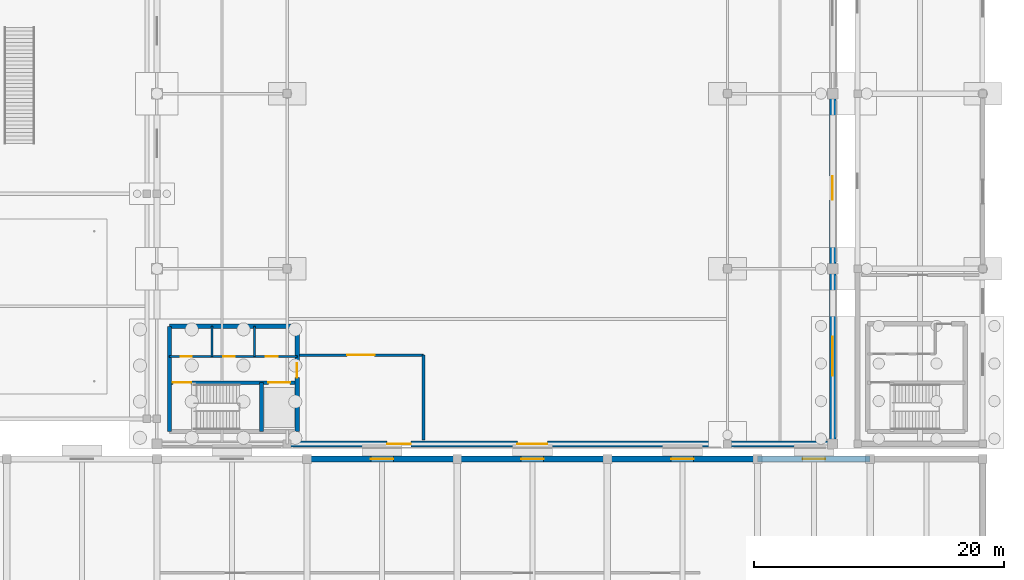
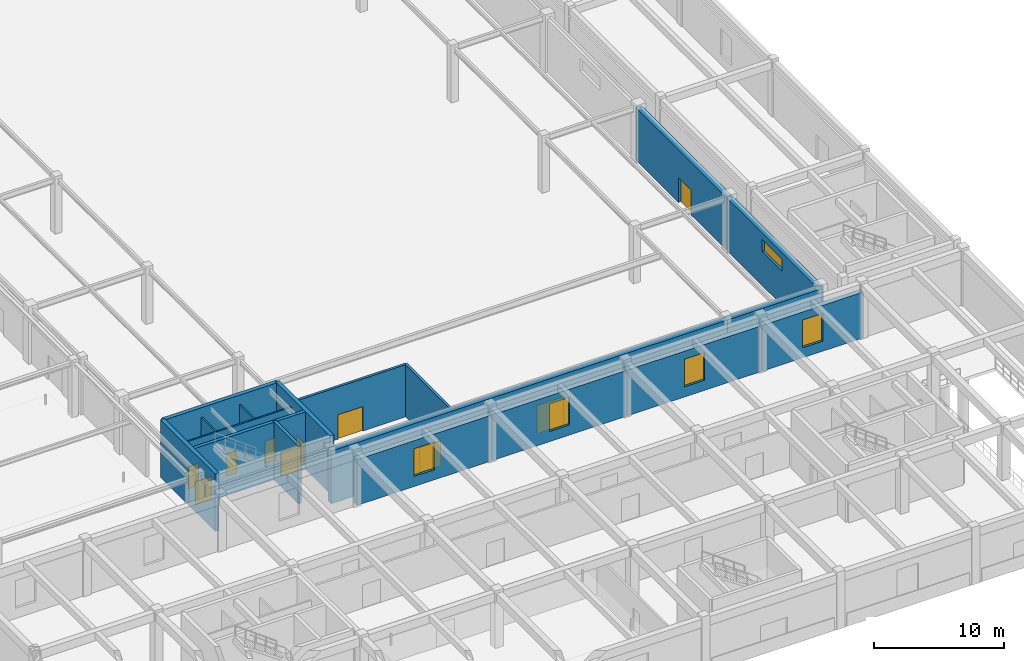
# One storey, part 32 of 53: 18 walls, 10 doors, 5 windows, 15 openings.
"""IFC4 building model written with IfcOpenShell, lengths in metres."""

from ifc_helpers import new_model, si_unit, derived_unit, direction, frame, frame_2d, origin, place, context, subcontext, project, spatial, rectangle, extrude, material, layer, layer_set, type_object, element, fill, save


model = new_model("IFC4")

# Units and contexts
model_context = context("Model", 3, precision=1e-05, world=origin(), true_north=direction((0.0, 1.0)))
body_context = subcontext(model_context, "Body", "Model", "MODEL_VIEW")
ifc_project = project(units=[si_unit("LENGTHUNIT", "METRE"), si_unit("AREAUNIT", "SQUARE_METRE"), si_unit("VOLUMEUNIT", "CUBIC_METRE"), si_unit("PLANEANGLEUNIT", "RADIAN"), si_unit("MASSUNIT", "GRAM", prefix="KILO"), derived_unit("THERMALTRANSMITTANCEUNIT", [(si_unit("POWERUNIT", "WATT"), 1), (si_unit("LENGTHUNIT", "METRE"), -2), (si_unit("THERMODYNAMICTEMPERATUREUNIT", "KELVIN"), -1)])], contexts=[model_context])

# Site, building, storey
site_placement = place(None, origin())
site = spatial("IfcSite", under=ifc_project, at=site_placement, CompositionType="ELEMENT")
building_placement = place(site_placement, origin())
building = spatial("IfcBuilding", under=site, at=building_placement, Name="Almenara Railside Exhibition Hall", CompositionType="ELEMENT")
storey_placement = place(building_placement, origin())
storey = spatial("IfcBuildingStorey", under=building, at=storey_placement, Name="L00", CompositionType="ELEMENT", Elevation=0.0)

# Walls
ifc_material_1 = material(Name="Concrete C35/45", Category="concrete")
ifc_layer_1 = layer(ifc_material_1, 0.35009765625, Name="Concrete C35/45")
ifc_layer_set_1 = layer_set([ifc_layer_1], Name="Concrete C35/45")
wall_type_1 = type_object("IfcWallType", Name="Core Coupled Shear Wall 350mm C35/45", PredefinedType="SHEAR", material=ifc_layer_set_1)
wall_1_placement = place(storey_placement, frame((149.199951171875, 43.39990234375, 0.0), z_axis=(0.0, 0.0, 1.0), x_axis=(-1.0, 0.0, 0.0)))
element("IfcWall", 1, at=wall_1_placement, inside=storey, type_object=wall_type_1, Name="Interior wall 0056", PredefinedType="SHEAR", context=body_context, shape_type="SweptSolid", body=[
    extrude(rectangle(XDim=10.199951171875, YDim=0.35009765625, at=frame_2d((5.10009765625, 0.0))), origin(), (0.0, 0.0, 1.0), 5.39990234375),
])
wall_2_placement = place(storey_placement, frame((139.0, 43.39990234375, 0.0), z_axis=(0.0, 0.0, 1.0), x_axis=(0.0, -1.0, 0.0)))
element("IfcWall", 2, at=wall_2_placement, inside=storey, type_object=wall_type_1, Name="Interior wall 0057", PredefinedType="SHEAR", context=body_context, shape_type="SweptSolid", body=[
    extrude(rectangle(XDim=8.39990234375, YDim=0.35009765625, at=frame_2d((4.199951171875, 0.0))), origin(), (0.0, 0.0, 1.0), 5.39990234375),
])

# Wall, opening, door
wall_3_placement = place(storey_placement, frame((149.199951171875, 35.0, 0.0), z_axis=(0.0, 0.0, 1.0), x_axis=(0.0, 1.0, 0.0)))
wall_3 = element("IfcWall", 3, at=wall_3_placement, inside=storey, type_object=wall_type_1, Name="Interior wall 0058", PredefinedType="SHEAR", context=body_context, shape_type="SweptSolid", body=[
    extrude(rectangle(XDim=8.39990234375, YDim=0.35009765625, at=frame_2d((4.199951171875, 0.0))), origin(), (0.0, 0.0, 1.0), 5.39990234375),
])
opening_1_placement = place(wall_3_placement, frame((4.300048828125, 0.0, 0.0)))
opening_1 = element("IfcOpeningElement", 4, at=opening_1_placement, cuts=wall_3, Name="Opening FD-115", PredefinedType="OPENING", context=body_context, shape_type="SweptSolid", body=[
    extrude(rectangle(XDim=1.14990234375, YDim=2.14990234375, at=frame_2d((0.574951171875, 1.074951171875))), frame((0.0, 0.18505859375, 0.0), z_axis=(0.0, -1.0, 0.0), x_axis=(1.0, 0.0, 0.0)), (0.0, 0.0, 1.0), 0.3701171875),
])
ifc_material_2 = material(Name="Fire-rated iroko timber door", Category="wood")
door_type_1 = type_object("IfcDoorType", Name="Core Lobby Fire Door 1150x2150 EI60", OperationType="NOTDEFINED", PredefinedType="DOOR", material=ifc_material_2)
door_1_placement = place(opening_1_placement, frame((1.14990234375, 0.0, 0.0), z_axis=(0.0, 0.0, 1.0), x_axis=(-1.0, 0.0, 0.0)))
door_1 = element("IfcDoor", 5, at=door_1_placement, inside=storey, type_object=door_type_1, Name="Interior door FD-115-037", OperationType="SINGLE_SWING_LEFT", OverallHeight=2.14990234375, OverallWidth=1.14990234375, PredefinedType="DOOR", context=body_context, shape_type="SweptSolid", body=[
    extrude(rectangle(XDim=1.14990234375, YDim=2.14990234375, at=frame_2d((0.574951171875, 1.074951171875))), frame((0.0, 0.02490234375, 0.0), z_axis=(0.0, -1.0, 0.0), x_axis=(1.0, 0.0, 0.0)), (0.0, 0.0, 1.0), 0.050048828125),
])
fill(opening_1, door_1)

# Wall, opening, window
ifc_material_3 = material(Name="Ochre-white lime-rendered masonry over Concrete C35/45", Category="masonry")
ifc_layer_2 = layer(ifc_material_3, 0.449951171875, Name="Ochre-white lime-rendered masonry over Concrete C35/45")
ifc_layer_set_2 = layer_set([ifc_layer_2], Name="Ochre-white lime-rendered masonry over Concrete C35/45")
wall_type_2 = type_object("IfcWallType", Name="Exterior Civic Stucco Wall 450mm C35/45", PredefinedType="SOLIDWALL", material=ifc_layer_set_2)
wall_4_placement = place(storey_placement, frame((162.0, 32.800048828125, 0.0), z_axis=(0.0, 0.0, 1.0), x_axis=(-1.0, 0.0, 0.0)))
wall_4 = element("IfcWall", 6, at=wall_4_placement, inside=storey, type_object=wall_type_2, Name="Exterior wall 0179", PredefinedType="SOLIDWALL", context=body_context, shape_type="SweptSolid", body=[
    extrude(rectangle(XDim=12.0, YDim=0.449951171875, at=frame_2d((6.0, 0.0))), origin(), (0.0, 0.0, 1.0), 4.300048828125),
])
opening_2_placement = place(wall_4_placement, frame((5.10009765625, 0.0, 0.949951171875)))
opening_2 = element("IfcOpeningElement", 7, at=opening_2_placement, cuts=wall_4, Name="Opening W-05", PredefinedType="OPENING", context=body_context, shape_type="SweptSolid", body=[
    extrude(rectangle(XDim=1.800048828125, YDim=2.60009765625, at=frame_2d((0.89990234375, 1.300048828125))), frame((0.0, 0.23486328125, 0.0), z_axis=(0.0, -1.0, 0.0), x_axis=(1.0, 0.0, 0.0)), (0.0, 0.0, 1.0), 0.469970703125),
])
ifc_material_4 = material(Name="Bronze-anodised aluminium and low-E double glazing", Category="aluminium")
window_type_1 = type_object("IfcWindowType", Name="Courtyard Deep-Reveal Window 1800x2600", PartitioningType="DOUBLE_PANEL_VERTICAL", PredefinedType="WINDOW", material=ifc_material_4)
window_1_placement = place(opening_2_placement, origin())
window_1 = element("IfcWindow", 8, at=window_1_placement, inside=storey, type_object=window_type_1, Name="Window 0047", OverallHeight=2.60009765625, OverallWidth=1.800048828125, PartitioningType="DOUBLE_PANEL_VERTICAL", PredefinedType="WINDOW", context=body_context, shape_type="SweptSolid", body=[
    extrude(rectangle(XDim=1.800048828125, YDim=2.60009765625, at=frame_2d((0.89990234375, 1.300048828125))), frame((0.0, 0.030029296875, 0.0), z_axis=(0.0, -1.0, 0.0), x_axis=(1.0, 0.0, 0.0)), (0.0, 0.0, 1.0), 0.06005859375),
])
fill(opening_2, window_1)

wall_5_placement = place(storey_placement, frame((174.0, 32.800048828125, 0.0), z_axis=(0.0, 0.0, 1.0), x_axis=(-1.0, 0.0, 0.0)))
wall_5 = element("IfcWall", 9, at=wall_5_placement, inside=storey, type_object=wall_type_2, Name="Exterior wall 0181", PredefinedType="SOLIDWALL", context=body_context, shape_type="SweptSolid", body=[
    extrude(rectangle(XDim=12.0, YDim=0.449951171875, at=frame_2d((6.0, 0.0))), origin(), (0.0, 0.0, 1.0), 4.300048828125),
])
opening_3_placement = place(wall_5_placement, frame((5.10009765625, 0.0, 0.949951171875)))
opening_3 = element("IfcOpeningElement", 10, at=opening_3_placement, cuts=wall_5, Name="Opening W-05", PredefinedType="OPENING", context=body_context, shape_type="SweptSolid", body=[
    extrude(rectangle(XDim=1.800048828125, YDim=2.60009765625, at=frame_2d((0.89990234375, 1.300048828125))), frame((0.0, 0.23486328125, 0.0), z_axis=(0.0, -1.0, 0.0), x_axis=(1.0, 0.0, 0.0)), (0.0, 0.0, 1.0), 0.469970703125),
])
window_2_placement = place(opening_3_placement, origin())
window_2 = element("IfcWindow", 11, at=window_2_placement, inside=storey, type_object=window_type_1, Name="Window 0048", OverallHeight=2.60009765625, OverallWidth=1.800048828125, PartitioningType="DOUBLE_PANEL_VERTICAL", PredefinedType="WINDOW", context=body_context, shape_type="SweptSolid", body=[
    extrude(rectangle(XDim=1.800048828125, YDim=2.60009765625, at=frame_2d((0.89990234375, 1.300048828125))), frame((0.0, 0.030029296875, 0.0), z_axis=(0.0, -1.0, 0.0), x_axis=(1.0, 0.0, 0.0)), (0.0, 0.0, 1.0), 0.06005859375),
])
fill(opening_3, window_2)

wall_6_placement = place(storey_placement, frame((186.0, 32.800048828125, 0.0), z_axis=(0.0, 0.0, 1.0), x_axis=(-1.0, 0.0, 0.0)))
wall_6 = element("IfcWall", 12, at=wall_6_placement, inside=storey, type_object=wall_type_2, Name="Exterior wall 0183", PredefinedType="SOLIDWALL", context=body_context, shape_type="SweptSolid", body=[
    extrude(rectangle(XDim=12.0, YDim=0.449951171875, at=frame_2d((6.0, 0.0))), origin(), (0.0, 0.0, 1.0), 4.300048828125),
])
opening_4_placement = place(wall_6_placement, frame((5.10009765625, 0.0, 0.949951171875)))
opening_4 = element("IfcOpeningElement", 13, at=opening_4_placement, cuts=wall_6, Name="Opening W-05", PredefinedType="OPENING", context=body_context, shape_type="SweptSolid", body=[
    extrude(rectangle(XDim=1.800048828125, YDim=2.60009765625, at=frame_2d((0.89990234375, 1.300048828125))), frame((0.0, 0.23486328125, 0.0), z_axis=(0.0, -1.0, 0.0), x_axis=(1.0, 0.0, 0.0)), (0.0, 0.0, 1.0), 0.469970703125),
])
window_3_placement = place(opening_4_placement, origin())
window_3 = element("IfcWindow", 14, at=window_3_placement, inside=storey, type_object=window_type_1, Name="Window 0050", OverallHeight=2.60009765625, OverallWidth=1.800048828125, PartitioningType="DOUBLE_PANEL_VERTICAL", PredefinedType="WINDOW", context=body_context, shape_type="SweptSolid", body=[
    extrude(rectangle(XDim=1.800048828125, YDim=2.60009765625, at=frame_2d((0.89990234375, 1.300048828125))), frame((0.0, 0.030029296875, 0.0), z_axis=(0.0, -1.0, 0.0), x_axis=(1.0, 0.0, 0.0)), (0.0, 0.0, 1.0), 0.06005859375),
])
fill(opening_4, window_3)

wall_7_placement = place(storey_placement, frame((195.0, 32.800048828125, 0.0), z_axis=(0.0, 0.0, 1.0), x_axis=(-1.0, 0.0, 0.0)))
wall_7 = element("IfcWall", 15, at=wall_7_placement, inside=storey, type_object=wall_type_2, Name="Exterior wall 0185", PredefinedType="SOLIDWALL", context=body_context, shape_type="SweptSolid", body=[
    extrude(rectangle(XDim=9.0, YDim=0.449951171875, at=frame_2d((4.5, 0.0))), origin(), (0.0, 0.0, 1.0), 4.300048828125),
])
opening_5_placement = place(wall_7_placement, frame((3.60009765625, 0.0, 0.949951171875)))
opening_5 = element("IfcOpeningElement", 16, at=opening_5_placement, cuts=wall_7, Name="Opening W-05", PredefinedType="OPENING", context=body_context, shape_type="SweptSolid", body=[
    extrude(rectangle(XDim=1.800048828125, YDim=2.60009765625, at=frame_2d((0.89990234375, 1.300048828125))), frame((0.0, 0.23486328125, 0.0), z_axis=(0.0, -1.0, 0.0), x_axis=(1.0, 0.0, 0.0)), (0.0, 0.0, 1.0), 0.469970703125),
])
window_4_placement = place(opening_5_placement, origin())
window_4 = element("IfcWindow", 17, at=window_4_placement, inside=storey, type_object=window_type_1, Name="Window 0051", OverallHeight=2.60009765625, OverallWidth=1.800048828125, PartitioningType="DOUBLE_PANEL_VERTICAL", PredefinedType="WINDOW", context=body_context, shape_type="SweptSolid", body=[
    extrude(rectangle(XDim=1.800048828125, YDim=2.60009765625, at=frame_2d((0.89990234375, 1.300048828125))), frame((0.0, 0.030029296875, 0.0), z_axis=(0.0, -1.0, 0.0), x_axis=(1.0, 0.0, 0.0)), (0.0, 0.0, 1.0), 0.06005859375),
])
fill(opening_5, window_4)

ifc_layer_3 = layer(ifc_material_3, 0.510009765625, Name="Ochre-white lime-rendered masonry over Concrete C35/45")
ifc_layer_set_3 = layer_set([ifc_layer_3], Name="Ochre-white lime-rendered masonry over Concrete C35/45")
wall_type_3 = type_object("IfcWallType", Name="Exterior East Hall Thermal Wall 510mm C35/45", PredefinedType="SOLIDWALL", material=ifc_layer_set_3)
wall_8_placement = place(storey_placement, frame((192.0, 34.0, 0.0), z_axis=(0.0, 0.0, 1.0), x_axis=(0.0, 1.0, 0.0)))
wall_8 = element("IfcWall", 18, at=wall_8_placement, inside=storey, type_object=wall_type_3, Name="Exterior wall 0074", PredefinedType="SOLIDWALL", context=body_context, shape_type="SweptSolid", body=[
    extrude(rectangle(XDim=14.0, YDim=0.510009765625, at=frame_2d((7.0, 0.0))), origin(), (0.0, 0.0, 1.0), 4.949951171875),
])
opening_6_placement = place(wall_8_placement, frame((5.449951171875, 0.0, 3.199951171875)))
opening_6 = element("IfcOpeningElement", 19, at=opening_6_placement, cuts=wall_8, Name="Opening W-15", PredefinedType="OPENING", context=body_context, shape_type="SweptSolid", body=[
    extrude(rectangle(XDim=3.10009765625, YDim=1.14990234375, at=frame_2d((1.550048828125, 0.574951171875))), frame((0.0, 0.264892578125, 0.0), z_axis=(0.0, -1.0, 0.0), x_axis=(1.0, 0.0, 0.0)), (0.0, 0.0, 1.0), 0.530029296875),
])
window_type_2 = type_object("IfcWindowType", Name="East Hall Clerestory Window 3100x1150", PartitioningType="TRIPLE_PANEL_HORIZONTAL", PredefinedType="WINDOW", material=ifc_material_4)
window_5_placement = place(opening_6_placement, origin())
window_5 = element("IfcWindow", 20, at=window_5_placement, inside=storey, type_object=window_type_2, Name="Window 0015", OverallHeight=1.14990234375, OverallWidth=3.10009765625, PartitioningType="TRIPLE_PANEL_HORIZONTAL", PredefinedType="WINDOW", context=body_context, shape_type="SweptSolid", body=[
    extrude(rectangle(XDim=3.10009765625, YDim=1.14990234375, at=frame_2d((1.550048828125, 0.574951171875))), frame((0.0, 0.030029296875, 0.0), z_axis=(0.0, -1.0, 0.0), x_axis=(1.0, 0.0, 0.0)), (0.0, 0.0, 1.0), 0.06005859375),
])
fill(opening_6, window_5)

# Wall, opening, door
wall_9_placement = place(storey_placement, frame((192.0, 48.0, 0.0), z_axis=(0.0, 0.0, 1.0), x_axis=(0.0, 1.0, 0.0)))
wall_9 = element("IfcWall", 21, at=wall_9_placement, inside=storey, type_object=wall_type_3, Name="Exterior wall 0077", PredefinedType="SOLIDWALL", context=body_context, shape_type="SweptSolid", body=[
    extrude(rectangle(XDim=14.0, YDim=0.510009765625, at=frame_2d((7.0, 0.0))), origin(), (0.0, 0.0, 1.0), 4.949951171875),
])
opening_7_placement = place(wall_9_placement, frame((5.5, 0.0, 0.0)))
opening_7 = element("IfcOpeningElement", 22, at=opening_7_placement, cuts=wall_9, Name="Opening ED-08", PredefinedType="OPENING", context=body_context, shape_type="SweptSolid", body=[
    extrude(rectangle(XDim=1.89990234375, YDim=2.35009765625, at=frame_2d((0.949951171875, 1.175048828125))), frame((0.0, 0.264892578125, 0.0), z_axis=(0.0, -1.0, 0.0), x_axis=(1.0, 0.0, 0.0)), (0.0, 0.0, 1.0), 0.530029296875),
])
ifc_material_5 = material(Name="Bronze-anodised glazed escape door")
door_type_2 = type_object("IfcDoorType", Name="Congress Double Escape Door 1900x2350", OperationType="NOTDEFINED", PredefinedType="DOOR", material=ifc_material_5)
door_2_placement = place(opening_7_placement, frame((1.89990234375, 0.0, 0.0), z_axis=(0.0, 0.0, 1.0), x_axis=(-1.0, 0.0, 0.0)))
door_2 = element("IfcDoor", 23, at=door_2_placement, inside=storey, type_object=door_type_2, Name="Exterior door ED-08", OperationType="DOUBLE_DOOR_SINGLE_SWING", OverallHeight=2.35009765625, OverallWidth=1.89990234375, PredefinedType="DOOR", context=body_context, shape_type="SweptSolid", body=[
    extrude(rectangle(XDim=1.89990234375, YDim=2.35009765625, at=frame_2d((0.949951171875, 1.175048828125))), frame((0.0, 0.02490234375, 0.0), z_axis=(0.0, -1.0, 0.0), x_axis=(1.0, 0.0, 0.0)), (0.0, 0.0, 1.0), 0.050048828125),
])
fill(opening_7, door_2)

# Wall, openings, doors
wall_10_placement = place(storey_placement, frame((148.39990234375, 34.0, 0.0), z_axis=(0.0, 0.0, 1.0), x_axis=(1.0, 0.0, 0.0)))
wall_10 = element("IfcWall", 24, at=wall_10_placement, inside=storey, type_object=wall_type_3, Name="Exterior wall 0098", PredefinedType="SOLIDWALL", context=body_context, shape_type="SweptSolid", body=[
    extrude(rectangle(XDim=35.2001953125, YDim=0.510009765625, at=frame_2d((17.60009765625, 0.0))), origin(), (0.0, 0.0, 1.0), 4.949951171875),
])
opening_8_placement = place(wall_10_placement, frame((8.0, 0.0, 0.0)))
opening_8 = element("IfcOpeningElement", 25, at=opening_8_placement, cuts=wall_10, Name="Opening ED-12", PredefinedType="OPENING", context=body_context, shape_type="SweptSolid", body=[
    extrude(rectangle(XDim=1.89990234375, YDim=2.35009765625, at=frame_2d((0.949951171875, 1.175048828125))), frame((0.0, 0.264892578125, 0.0), z_axis=(0.0, -1.0, 0.0), x_axis=(1.0, 0.0, 0.0)), (0.0, 0.0, 1.0), 0.530029296875),
])
opening_9_placement = place(wall_10_placement, frame((18.39990234375, 0.0, 0.0)))
opening_9 = element("IfcOpeningElement", 26, at=opening_9_placement, cuts=wall_10, Name="Opening ED-13", PredefinedType="OPENING", context=body_context, shape_type="SweptSolid", body=[
    extrude(rectangle(XDim=2.39990234375, YDim=2.64990234375, at=frame_2d((1.199951171875, 1.324951171875))), frame((0.0, 0.264892578125, 0.0), z_axis=(0.0, -1.0, 0.0), x_axis=(1.0, 0.0, 0.0)), (0.0, 0.0, 1.0), 0.530029296875),
])
door_3_placement = place(opening_8_placement, frame((1.89990234375, 0.0, 0.0), z_axis=(0.0, 0.0, 1.0), x_axis=(-1.0, 0.0, 0.0)))
door_3 = element("IfcDoor", 27, at=door_3_placement, inside=storey, type_object=door_type_2, Name="Exterior door ED-12", OperationType="DOUBLE_DOOR_SINGLE_SWING", OverallHeight=2.35009765625, OverallWidth=1.89990234375, PredefinedType="DOOR", context=body_context, shape_type="SweptSolid", body=[
    extrude(rectangle(XDim=1.89990234375, YDim=2.35009765625, at=frame_2d((0.949951171875, 1.175048828125))), frame((0.0, 0.02490234375, 0.0), z_axis=(0.0, -1.0, 0.0), x_axis=(1.0, 0.0, 0.0)), (0.0, 0.0, 1.0), 0.050048828125),
])
fill(opening_8, door_3)
ifc_material_6 = material(Name="Bronze-anodised glazed entrance door")
door_type_3 = type_object("IfcDoorType", Name="Grand Civic Portal Double Exit Door 2400x2650", OperationType="NOTDEFINED", PredefinedType="DOOR", material=ifc_material_6)
door_4_placement = place(opening_9_placement, frame((2.39990234375, 0.0, 0.0), z_axis=(0.0, 0.0, 1.0), x_axis=(-1.0, 0.0, 0.0)))
door_4 = element("IfcDoor", 28, at=door_4_placement, inside=storey, type_object=door_type_3, Name="Exterior door ED-13", OperationType="DOUBLE_DOOR_SINGLE_SWING", OverallHeight=2.64990234375, OverallWidth=2.39990234375, PredefinedType="DOOR", context=body_context, shape_type="SweptSolid", body=[
    extrude(rectangle(XDim=2.39990234375, YDim=2.64990234375, at=frame_2d((1.199951171875, 1.324951171875))), frame((0.0, 0.02490234375, 0.0), z_axis=(0.0, -1.0, 0.0), x_axis=(1.0, 0.0, 0.0)), (0.0, 0.0, 1.0), 0.050048828125),
])
fill(opening_9, door_4)

# Wall
wall_11_placement = place(storey_placement, frame((183.60009765625, 34.0, 0.0), z_axis=(0.0, 0.0, 1.0), x_axis=(1.0, 0.0, 0.0)))
element("IfcWall", 29, at=wall_11_placement, inside=storey, type_object=wall_type_3, Name="Exterior wall 0100", PredefinedType="SOLIDWALL", context=body_context, shape_type="SweptSolid", body=[
    extrude(rectangle(XDim=8.39990234375, YDim=0.510009765625, at=frame_2d((4.199951171875, 0.0))), origin(), (0.0, 0.0, 1.0), 4.949951171875),
])

# Wall, opening, door
ifc_material_7 = material(Name="Insulated masonry over Concrete C35/45", Category="masonry")
ifc_layer_4 = layer(ifc_material_7, 0.219970703125, Name="Insulated masonry over Concrete C35/45")
ifc_layer_set_4 = layer_set([ifc_layer_4], Name="Insulated masonry over Concrete C35/45")
wall_type_4 = type_object("IfcWallType", Name="Occupancy Separating Fire Wall 220mm", PredefinedType="SOLIDWALL", material=ifc_layer_set_4)
wall_12_placement = place(storey_placement, frame((149.39990234375, 41.10009765625, 0.0), z_axis=(0.0, 0.0, 1.0), x_axis=(1.0, 0.0, 0.0)))
wall_12 = element("IfcWall", 30, at=wall_12_placement, inside=storey, type_object=wall_type_4, Name="Interior wall 0269", PredefinedType="SOLIDWALL", context=body_context, shape_type="SweptSolid", body=[
    extrude(rectangle(XDim=9.900146484375, YDim=0.219970703125, at=frame_2d((4.9501953125, 0.0))), origin(), (0.0, 0.0, 1.0), 4.89990234375),
])
opening_10_placement = place(wall_12_placement, frame((3.800048828125, 0.0, 0.0)))
opening_10 = element("IfcOpeningElement", 31, at=opening_10_placement, cuts=wall_12, Name="Opening FD-22", PredefinedType="OPENING", context=body_context, shape_type="SweptSolid", body=[
    extrude(rectangle(XDim=2.199951171875, YDim=2.300048828125, at=frame_2d((1.10009765625, 1.14990234375))), frame((0.0, 0.119873046875, 0.0), z_axis=(0.0, -1.0, 0.0), x_axis=(1.0, 0.0, 0.0)), (0.0, 0.0, 1.0), 0.239990234375),
])
ifc_material_8 = material(Name="Steel-framed fire-rated timber door", Category="steel")
door_type_4 = type_object("IfcDoorType", Name="Hall Escape Stair Double Door 2200x2300 EI60", OperationType="NOTDEFINED", PredefinedType="DOOR", material=ifc_material_8)
door_5_placement = place(opening_10_placement, frame((2.199951171875, 0.0, 0.0), z_axis=(0.0, 0.0, 1.0), x_axis=(-1.0, 0.0, 0.0)))
door_5 = element("IfcDoor", 32, at=door_5_placement, inside=storey, type_object=door_type_4, Name="Interior door FD-22-180", OperationType="DOUBLE_DOOR_SINGLE_SWING", OverallHeight=2.300048828125, OverallWidth=2.199951171875, PredefinedType="DOOR", context=body_context, shape_type="SweptSolid", body=[
    extrude(rectangle(XDim=2.199951171875, YDim=2.300048828125, at=frame_2d((1.10009765625, 1.14990234375))), frame((0.0, 0.02490234375, 0.0), z_axis=(0.0, -1.0, 0.0), x_axis=(1.0, 0.0, 0.0)), (0.0, 0.0, 1.0), 0.050048828125),
])
fill(opening_10, door_5)

# Wall
wall_13_placement = place(storey_placement, frame((159.300048828125, 34.300048828125, 0.0), z_axis=(0.0, 0.0, 1.0), x_axis=(0.0, 1.0, 0.0)))
element("IfcWall", 33, at=wall_13_placement, inside=storey, type_object=wall_type_4, Name="Interior wall 0270", PredefinedType="SOLIDWALL", context=body_context, shape_type="SweptSolid", body=[
    extrude(rectangle(XDim=6.800048828125, YDim=0.219970703125, at=frame_2d((3.39990234375, 0.0))), origin(), (0.0, 0.0, 1.0), 4.89990234375),
])

# Wall, openings, doors
ifc_material_9 = material(Name="Moisture-resistant tiled masonry partition", Category="masonry")
ifc_layer_5 = layer(ifc_material_9, 0.139892578125, Name="Moisture-resistant tiled masonry partition")
ifc_layer_set_5 = layer_set([ifc_layer_5], Name="Moisture-resistant tiled masonry partition")
wall_type_5 = type_object("IfcWallType", Name="Sanitary Wet-Wall Partition 140mm", PredefinedType="PARTITIONING", material=ifc_layer_set_5)
wall_14_placement = place(storey_placement, frame((139.0, 41.0, 0.0), z_axis=(0.0, 0.0, 1.0), x_axis=(1.0, 0.0, 0.0)))
wall_14 = element("IfcWall", 34, at=wall_14_placement, inside=storey, type_object=wall_type_5, Name="Interior wall 0061", PredefinedType="PARTITIONING", context=body_context, shape_type="SweptSolid", body=[
    extrude(rectangle(XDim=10.199951171875, YDim=0.139892578125, at=frame_2d((5.10009765625, 0.0))), origin(), (0.0, 0.0, 1.0), 4.5),
])
opening_11_placement = place(wall_14_placement, frame((0.89990234375, 0.0, 0.0)))
opening_11 = element("IfcOpeningElement", 35, at=opening_11_placement, cuts=wall_14, Name="Opening ID-09", PredefinedType="OPENING", context=body_context, shape_type="SweptSolid", body=[
    extrude(rectangle(XDim=0.89990234375, YDim=2.10009765625, at=frame_2d((0.449951171875, 1.050048828125))), frame((0.0, 0.079833984375, 0.0), z_axis=(0.0, -1.0, 0.0), x_axis=(1.0, 0.0, 0.0)), (0.0, 0.0, 1.0), 0.159912109375),
])
opening_12_placement = place(wall_14_placement, frame((4.300048828125, 0.0, 0.0)))
opening_12 = element("IfcOpeningElement", 36, at=opening_12_placement, cuts=wall_14, Name="Opening ID-09", PredefinedType="OPENING", context=body_context, shape_type="SweptSolid", body=[
    extrude(rectangle(XDim=0.89990234375, YDim=2.10009765625, at=frame_2d((0.449951171875, 1.050048828125))), frame((0.0, 0.079833984375, 0.0), z_axis=(0.0, -1.0, 0.0), x_axis=(1.0, 0.0, 0.0)), (0.0, 0.0, 1.0), 0.159912109375),
])
opening_13_placement = place(wall_14_placement, frame((7.699951171875, 0.0, 0.0)))
opening_13 = element("IfcOpeningElement", 37, at=opening_13_placement, cuts=wall_14, Name="Opening ID-095", PredefinedType="OPENING", context=body_context, shape_type="SweptSolid", body=[
    extrude(rectangle(XDim=0.949951171875, YDim=2.10009765625, at=frame_2d((0.47509765625, 1.050048828125))), frame((0.0, 0.079833984375, 0.0), z_axis=(0.0, -1.0, 0.0), x_axis=(1.0, 0.0, 0.0)), (0.0, 0.0, 1.0), 0.159912109375),
])
ifc_material_10 = material(Name="Moisture-resistant hardwood door", Category="wood")
door_type_5 = type_object("IfcDoorType", Name="Accessible Toilet Door 950x2100", OperationType="NOTDEFINED", PredefinedType="DOOR", material=ifc_material_10)
door_6_placement = place(opening_13_placement, origin())
door_6 = element("IfcDoor", 38, at=door_6_placement, inside=storey, type_object=door_type_5, Name="Interior door ID-095-042", OperationType="SINGLE_SWING_RIGHT", OverallHeight=2.10009765625, OverallWidth=0.949951171875, PredefinedType="DOOR", context=body_context, shape_type="SweptSolid", body=[
    extrude(rectangle(XDim=0.949951171875, YDim=2.10009765625, at=frame_2d((0.47509765625, 1.050048828125))), frame((0.0, 0.02490234375, 0.0), z_axis=(0.0, -1.0, 0.0), x_axis=(1.0, 0.0, 0.0)), (0.0, 0.0, 1.0), 0.050048828125),
])
fill(opening_13, door_6)
door_type_6 = type_object("IfcDoorType", Name="Sanitary Lobby Single Door 900x2100", OperationType="NOTDEFINED", PredefinedType="DOOR", material=ifc_material_10)
door_7_placement = place(opening_11_placement, origin())
door_7 = element("IfcDoor", 39, at=door_7_placement, inside=storey, type_object=door_type_6, Name="Interior door ID-09-040", OperationType="SINGLE_SWING_RIGHT", OverallHeight=2.10009765625, OverallWidth=0.89990234375, PredefinedType="DOOR", context=body_context, shape_type="SweptSolid", body=[
    extrude(rectangle(XDim=0.89990234375, YDim=2.10009765625, at=frame_2d((0.449951171875, 1.050048828125))), frame((0.0, 0.02490234375, 0.0), z_axis=(0.0, -1.0, 0.0), x_axis=(1.0, 0.0, 0.0)), (0.0, 0.0, 1.0), 0.050048828125),
])
fill(opening_11, door_7)
door_8_placement = place(opening_12_placement, origin())
door_8 = element("IfcDoor", 40, at=door_8_placement, inside=storey, type_object=door_type_6, Name="Interior door ID-09-041", OperationType="SINGLE_SWING_LEFT", OverallHeight=2.10009765625, OverallWidth=0.89990234375, PredefinedType="DOOR", context=body_context, shape_type="SweptSolid", body=[
    extrude(rectangle(XDim=0.89990234375, YDim=2.10009765625, at=frame_2d((0.449951171875, 1.050048828125))), frame((0.0, 0.02490234375, 0.0), z_axis=(0.0, -1.0, 0.0), x_axis=(1.0, 0.0, 0.0)), (0.0, 0.0, 1.0), 0.050048828125),
])
fill(opening_12, door_8)

# Walls
for number, where, z_axis, x_axis, name in (
    (41, (142.39990234375, 41.0, 0.0), (0.0, 0.0, 1.0), (0.0, 1.0, 0.0), "Interior wall 0062"),
    (42, (145.800048828125, 41.0, 0.0), (0.0, 0.0, 1.0), (0.0, 1.0, 0.0), "Interior wall 0063"),
):
    element("IfcWall", number, at=place(storey_placement, frame(where, z_axis=z_axis, x_axis=x_axis)), inside=storey, type_object=wall_type_5, Name=name, PredefinedType="PARTITIONING", context=body_context, shape_type="SweptSolid", body=[
        extrude(rectangle(XDim=2.39990234375, YDim=0.139892578125, at=frame_2d((1.199951171875, 0.0))), origin(), (0.0, 0.0, 1.0), 4.5),
    ])

# Wall, openings, doors
ifc_layer_6 = layer(ifc_material_1, 0.300048828125, Name="Concrete C35/45")
ifc_layer_set_6 = layer_set([ifc_layer_6], Name="Concrete C35/45")
wall_type_6 = type_object("IfcWallType", Name="Stair and Lift Shaft Wall 300mm C35/45", PredefinedType="SHEAR", material=ifc_layer_set_6)
wall_15_placement = place(storey_placement, frame((139.0, 38.89990234375, 0.0), z_axis=(0.0, 0.0, 1.0), x_axis=(1.0, 0.0, 0.0)))
wall_15 = element("IfcWall", 43, at=wall_15_placement, inside=storey, type_object=wall_type_6, Name="Interior wall 0059", PredefinedType="SHEAR", context=body_context, shape_type="SweptSolid", body=[
    extrude(rectangle(XDim=10.199951171875, YDim=0.300048828125, at=frame_2d((5.10009765625, 0.0))), origin(), (0.0, 0.0, 1.0), 5.39990234375),
])
opening_14_placement = place(wall_15_placement, frame((0.280029296875, 0.0, 0.0)))
opening_14 = element("IfcOpeningElement", 44, at=opening_14_placement, cuts=wall_15, Name="Opening FD-145", PredefinedType="OPENING", context=body_context, shape_type="SweptSolid", body=[
    extrude(rectangle(XDim=1.449951171875, YDim=2.14990234375, at=frame_2d((0.72509765625, 1.074951171875))), frame((0.0, 0.159912109375, 0.0), z_axis=(0.0, -1.0, 0.0), x_axis=(1.0, 0.0, 0.0)), (0.0, 0.0, 1.0), 0.320068359375),
])
opening_15_placement = place(wall_15_placement, frame((7.89990234375, 0.0, 0.0)))
opening_15 = element("IfcOpeningElement", 45, at=opening_15_placement, cuts=wall_15, Name="Opening LD-175-C3", PredefinedType="OPENING", context=body_context, shape_type="SweptSolid", body=[
    extrude(rectangle(XDim=1.75, YDim=2.300048828125, at=frame_2d((0.875, 1.14990234375))), frame((0.0, 0.159912109375, 0.0), z_axis=(0.0, -1.0, 0.0), x_axis=(1.0, 0.0, 0.0)), (0.0, 0.0, 1.0), 0.320068359375),
])
door_type_7 = type_object("IfcDoorType", Name="Fire Escape Stair Door 1450x2150 EI60", OperationType="NOTDEFINED", PredefinedType="DOOR", material=ifc_material_8)
door_9_placement = place(opening_14_placement, origin())
door_9 = element("IfcDoor", 46, at=door_9_placement, inside=storey, type_object=door_type_7, Name="Interior door FD-145-038", OperationType="DOUBLE_DOOR_SINGLE_SWING", OverallHeight=2.14990234375, OverallWidth=1.449951171875, PredefinedType="DOOR", context=body_context, shape_type="SweptSolid", body=[
    extrude(rectangle(XDim=1.449951171875, YDim=2.14990234375, at=frame_2d((0.72509765625, 1.074951171875))), frame((0.0, 0.02490234375, 0.0), z_axis=(0.0, -1.0, 0.0), x_axis=(1.0, 0.0, 0.0)), (0.0, 0.0, 1.0), 0.050048828125),
])
fill(opening_14, door_9)
ifc_material_11 = material(Name="Heavy-duty stainless steel sliding landing door", Category="steel")
door_type_8 = type_object("IfcDoorType", Name="Goods Lift Sliding Landing Door 1750x2300", OperationType="DOUBLE_DOOR_SLIDING", PredefinedType="DOOR", material=ifc_material_11)
door_10_placement = place(opening_15_placement, origin())
door_10 = element("IfcDoor", 47, at=door_10_placement, inside=storey, type_object=door_type_8, Name="Interior door LD-175-C3-039", OperationType="DOUBLE_DOOR_SLIDING", OverallHeight=2.300048828125, OverallWidth=1.75, PredefinedType="DOOR", context=body_context, shape_type="SweptSolid", body=[
    extrude(rectangle(XDim=1.75, YDim=2.300048828125, at=frame_2d((0.875, 1.14990234375))), frame((0.0, 0.02490234375, 0.0), z_axis=(0.0, -1.0, 0.0), x_axis=(1.0, 0.0, 0.0)), (0.0, 0.0, 1.0), 0.050048828125),
])
fill(opening_15, door_10)

# Wall
wall_16_placement = place(storey_placement, frame((146.35009765625, 35.0, 0.0), z_axis=(0.0, 0.0, 1.0), x_axis=(0.0, 1.0, 0.0)))
element("IfcWall", 48, at=wall_16_placement, inside=storey, type_object=wall_type_6, Name="Interior wall 0060", PredefinedType="SHEAR", context=body_context, shape_type="SweptSolid", body=[
    extrude(rectangle(XDim=3.89990234375, YDim=0.300048828125, at=frame_2d((1.949951171875, 0.0))), origin(), (0.0, 0.0, 1.0), 5.39990234375),
])

save(model, "model.ifc")
